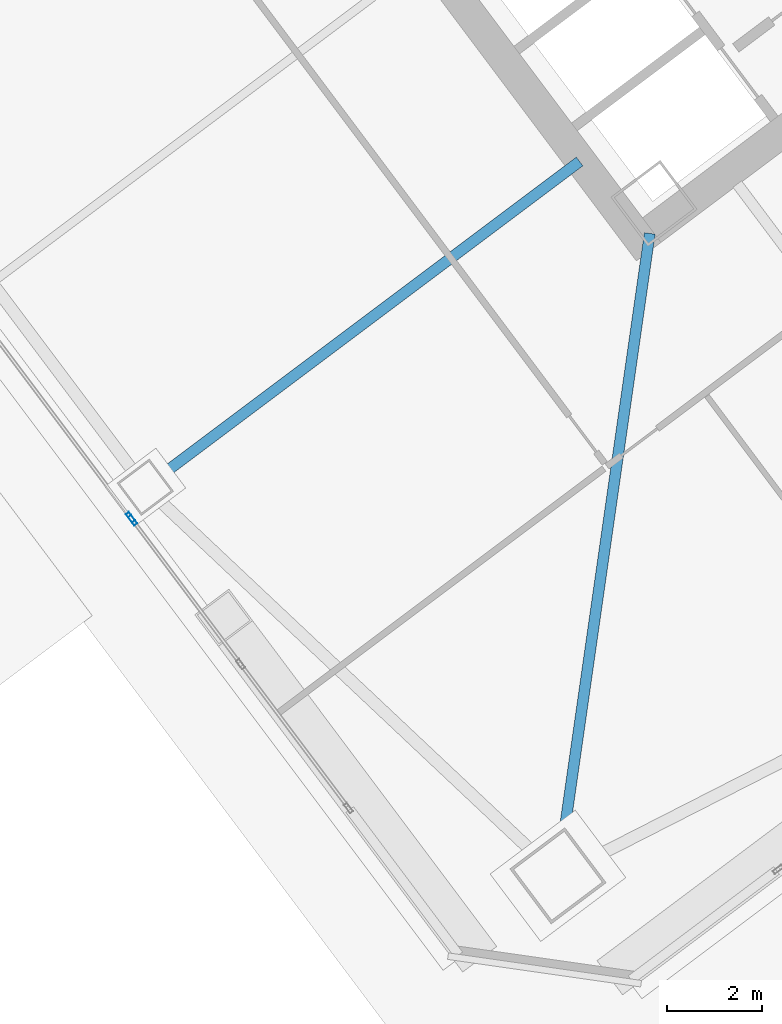
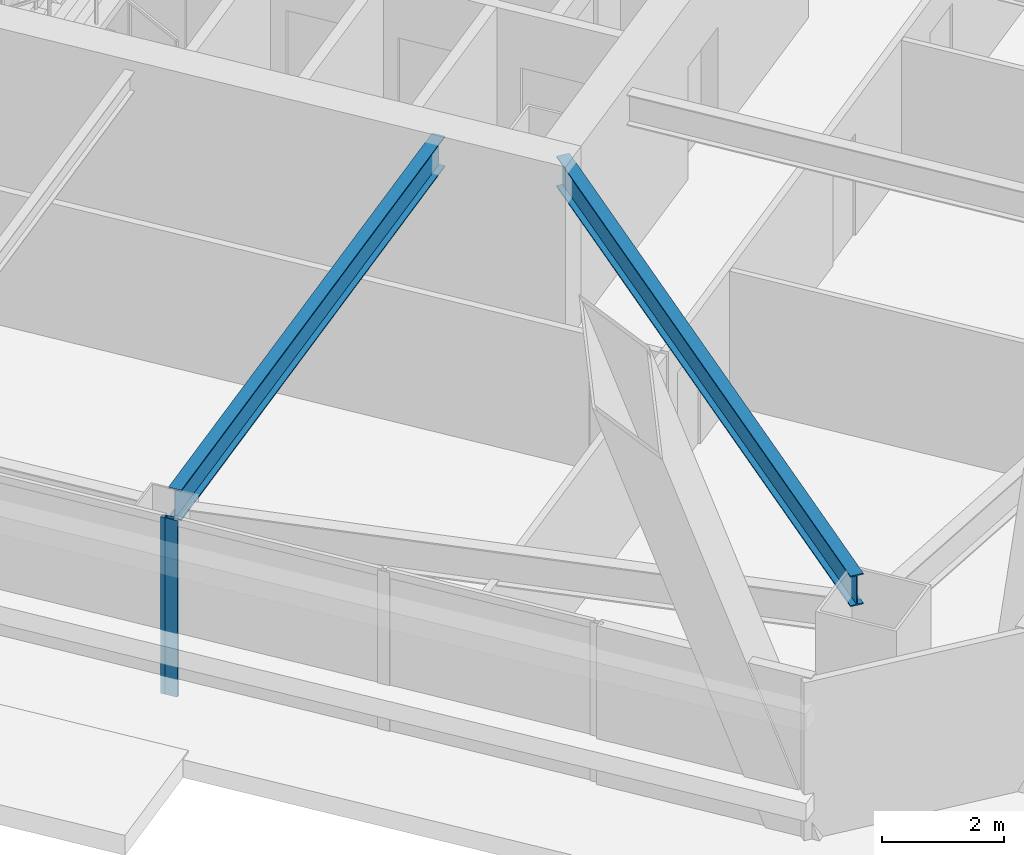
# One storey, part 34 of 67: 2 beams, 2 members, 2 elements without a shape of their own.
"""IFC4 building model written with IfcOpenShell, lengths in metres."""

from ifc_helpers import new_model, si_unit, direction, frame, origin, origin_2d, place, context, subcontext, project, spatial, hollow_rectangle, i_section, extrude, material, material_profile, profile_set, type_object, element, aggregate, save


model = new_model("IFC4")

# Units and contexts
model_context = context("Model", 3, precision=1e-05, world=origin(), true_north=direction((0.0, 1.0)))
body_context = subcontext(model_context, "Body", "Model", "MODEL_VIEW")
ifc_project = project(units=[si_unit("LENGTHUNIT", "METRE"), si_unit("AREAUNIT", "SQUARE_METRE"), si_unit("VOLUMEUNIT", "CUBIC_METRE"), si_unit("PLANEANGLEUNIT", "RADIAN"), si_unit("MASSUNIT", "GRAM", prefix="KILO")], contexts=[model_context])

# Site, building, storey
site_placement = place(None, origin())
site = spatial("IfcSite", under=ifc_project, at=site_placement, CompositionType="ELEMENT")
building_placement = place(site_placement, origin())
building = spatial("IfcBuilding", under=site, at=building_placement, Name="Tashvorn Skyway Center", CompositionType="ELEMENT")
storey_placement = place(building_placement, frame((0.0, 0.0, 67.199951171875)))
storey = spatial("IfcBuildingStorey", under=building, at=storey_placement, Name="L17", CompositionType="ELEMENT", Elevation=67.199951171875)

# Beams
ifc_material_1 = material(Name="Steel ASTM A992 Grade 50", Category="steel")
ifc_material_profile_1 = material_profile(ifc_material_1, i_section(OverallWidth=0.22998046875, OverallDepth=0.616943359375, WebThickness=0.01318359375, FlangeThickness=0.022216796875, at=origin_2d()), Name="W24X94")
ifc_profile_set_1 = profile_set([ifc_material_profile_1], Name="Steel ASTM A992 Grade 50")
beam_type = type_object("IfcBeamType", Name="BM-BEAM-W24X94", PredefinedType="BEAM", material=ifc_profile_set_1)
beam_1_placement = place(storey_placement, frame((110.661865234375, 8.6328125, 3.04150390625), z_axis=(0.141418724841, 0.989949869571, 0.0), x_axis=(-0.989949869571, 0.141418724841, 0.0)))
element("IfcBeam", 1, at=beam_1_placement, inside=storey, type_object=beam_type, Name="Tower 2 L17 Primary Floor Girder MC-SW", PredefinedType="BEAM", context=body_context, shape_type="SweptSolid", body=[
    extrude(i_section(OverallWidth=0.22998046875, OverallDepth=0.616943359375, WebThickness=0.01318359375, FlangeThickness=0.022216796875, at=origin_2d()), origin(), (0.0, 0.0, 1.0), 12.9892578125),
])
beam_2_placement = place(storey_placement, frame((102.176025390625, 16.382080078125, 3.04150390625), z_axis=(0.800007953832, 0.599989394744, 0.0), x_axis=(-0.599989394744, 0.800007953832, 0.0)))
element("IfcBeam", 2, at=beam_2_placement, inside=storey, type_object=beam_type, Name="Tower 2 L17 Primary Floor Girder FC-W2", PredefinedType="BEAM", context=body_context, shape_type="SweptSolid", body=[
    extrude(i_section(OverallWidth=0.22998046875, OverallDepth=0.616943359375, WebThickness=0.01318359375, FlangeThickness=0.022216796875, at=origin_2d()), origin(), (0.0, 0.0, 1.0), 11.050048828125),
])

# Curtain wall, member
ifc_material_2 = material(Name="Thermally broken bronze-anodized aluminium 6063-T6", Category="aluminium")
curtain_wall_type = type_object("IfcCurtainWallType", Name="CW-CW-Z2", PredefinedType="NOTDEFINED", material=ifc_material_2)
curtain_wall_1_placement = place(storey_placement, origin())
curtain_wall_1 = element("IfcCurtainWall", 3, at=curtain_wall_1_placement, inside=storey, type_object=curtain_wall_type, Name="Tower 2 L17 West Unitised Curtain Wall Glazing Group 1", PredefinedType="NOTDEFINED")
ifc_material_profile_2 = material_profile(ifc_material_2, hollow_rectangle(XDim=0.080078125, YDim=0.219970703125, WallThickness=0.0048828125, at=origin_2d()), Name="ALU-MULL-80x220")
ifc_profile_set_2 = profile_set([ifc_material_profile_2], Name="Thermally broken bronze-anodized aluminium 6063-T6")
member_type = type_object("IfcMemberType", Name="CWM-CW-Z2", PredefinedType="MULLION", material=ifc_profile_set_2)
member_1_placement = place(storey_placement, frame((101.575927734375, 15.431884765625, 0.0), z_axis=(0.0, 0.0, 1.0), x_axis=(-0.799999999998, -0.600000000002, 0.0)))
member_1 = element("IfcMember", 4, at=member_1_placement, type_object=member_type, Name="CW-Z2 mullion 3", PredefinedType="MULLION", context=body_context, shape_type="SweptSolid", body=[
    extrude(hollow_rectangle(XDim=0.080078125, YDim=0.219970703125, WallThickness=0.0048828125, at=origin_2d()), origin(), (0.0, 0.0, 1.0), 3.550048828125),
])
aggregate(curtain_wall_1, [member_1])

curtain_wall_2_placement = place(storey_placement, origin())
curtain_wall_2 = element("IfcCurtainWall", 5, at=curtain_wall_2_placement, inside=storey, type_object=curtain_wall_type, Name="Tower 2 L17 West Unitised Curtain Wall Glazing Group 2", PredefinedType="NOTDEFINED")
member_2_placement = place(storey_placement, frame((101.528076171875, 15.49609375, 0.0), z_axis=(0.0, 0.0, 1.0), x_axis=(-0.799999999998, -0.600000000002, 0.0)))
member_2 = element("IfcMember", 6, at=member_2_placement, type_object=member_type, Name="CW-Z2 mullion 1", PredefinedType="MULLION", context=body_context, shape_type="SweptSolid", body=[
    extrude(hollow_rectangle(XDim=0.080078125, YDim=0.219970703125, WallThickness=0.0048828125, at=origin_2d()), origin(), (0.0, 0.0, 1.0), 3.550048828125),
])
aggregate(curtain_wall_2, [member_2])

save(model, "model.ifc")
